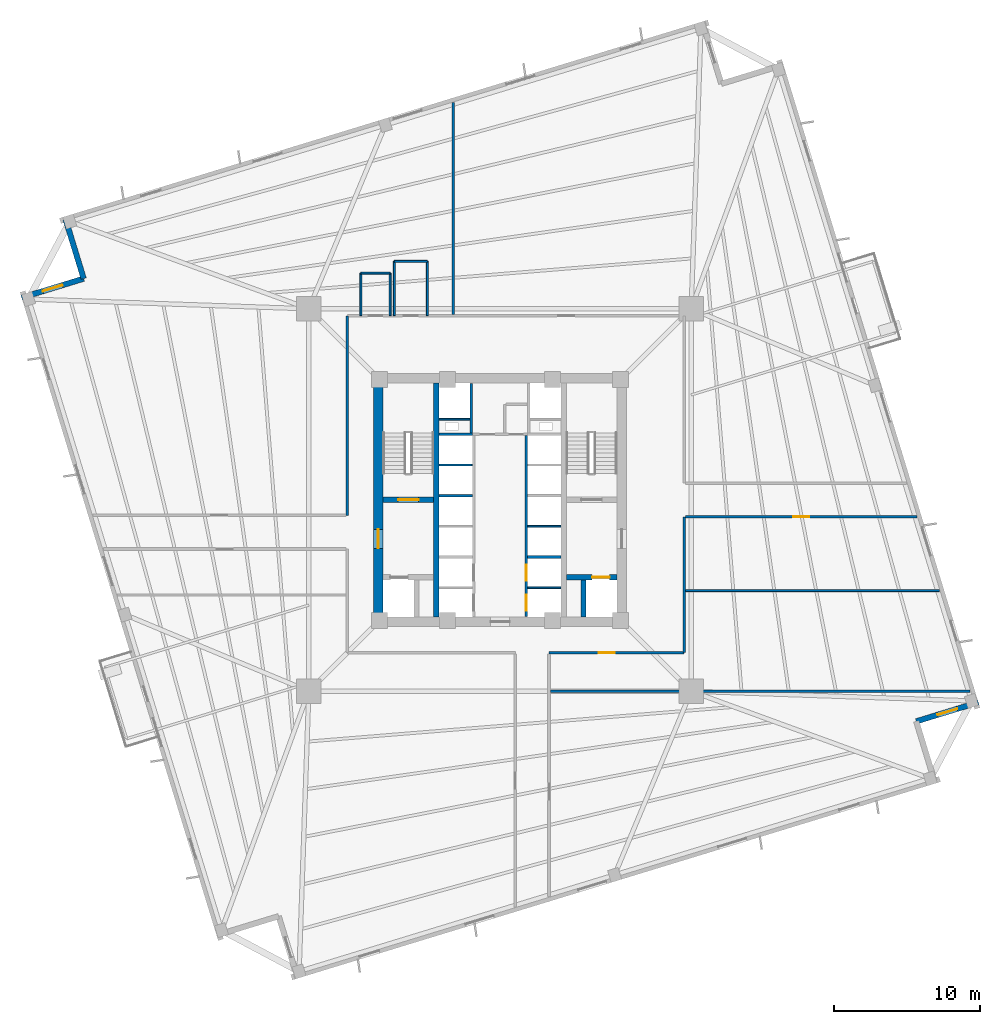
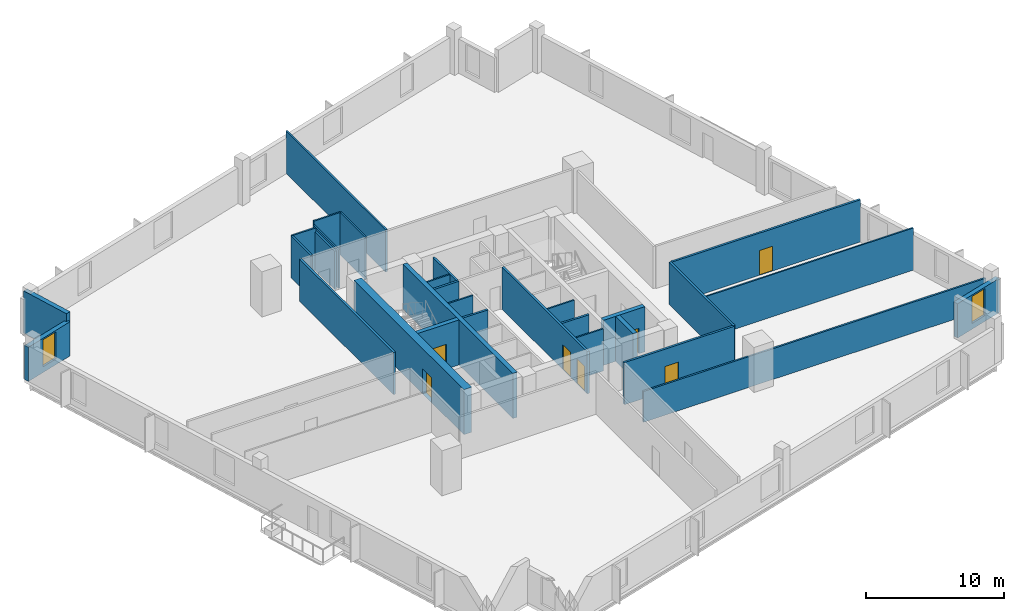
# One storey, part 4 of 9: 30 walls, 7 doors, 2 windows, 9 openings.
"""IFC4 building model written with IfcOpenShell, lengths in metres."""

from ifc_helpers import new_model, si_unit, direction, frame, frame_2d, origin, place, context, subcontext, project, spatial, rectangle, extrude, source, transform, mapped, material, layer, layer_set, type_object, element, fill, save


model = new_model("IFC4")

# Units and contexts
model_context = context("Model", 3, precision=1e-05, world=origin(), true_north=direction((0.0, 1.0)))
body_context = subcontext(model_context, "Body", "Model", "MODEL_VIEW")
ifc_project = project(units=[si_unit("LENGTHUNIT", "METRE"), si_unit("AREAUNIT", "SQUARE_METRE"), si_unit("VOLUMEUNIT", "CUBIC_METRE"), si_unit("PLANEANGLEUNIT", "RADIAN"), si_unit("MASSUNIT", "GRAM", prefix="KILO"), si_unit("THERMODYNAMICTEMPERATUREUNIT", "KELVIN")], contexts=[model_context])

# Site, building, storey
site_placement = place(None, origin())
site = spatial("IfcSite", under=ifc_project, at=site_placement, CompositionType="ELEMENT")
building_placement = place(site_placement, origin())
building = spatial("IfcBuilding", under=site, at=building_placement, Name="Kosmvard Interchange Tower", CompositionType="ELEMENT")
storey_placement = place(building_placement, frame((0.0, 0.0, 95.199951171875)))
storey = spatial("IfcBuildingStorey", under=building, at=storey_placement, Name="L22", CompositionType="ELEMENT", Elevation=95.199951171875)

# Walls
ifc_material_1 = material(Name="Acoustic gypsum partition system")
ifc_layer_1 = layer(ifc_material_1, 0.14990234375, Name="Acoustic gypsum partition system")
ifc_layer_set_1 = layer_set([ifc_layer_1], Name="Acoustic gypsum partition system")
wall_type_1 = type_object("IfcWallType", Name="Acoustic Suite & Meeting Partition 150", PredefinedType="PARTITIONING", material=ifc_layer_set_1)
wall_1_placement = place(storey_placement, frame((-3.199951171875, 12.695068359375, 0.0), z_axis=(0.0, 0.0, 1.0), x_axis=(0.0, 1.0, 0.0)))
element("IfcWall", 1, at=wall_1_placement, inside=storey, type_object=wall_type_1, Name="L22 Room Partition 01.1", PredefinedType="PARTITIONING", context=body_context, shape_type="SweptSolid", body=[
    extrude(rectangle(XDim=14.4921875, YDim=0.14990234375, at=frame_2d((7.24609375, 0.0))), origin(), (0.0, 0.0, 1.0), 3.739990234375),
])
wall_2_placement = place(storey_placement, frame((3.445068359375, -13.0810546875, 0.0), z_axis=(0.0, 0.0, 1.0), x_axis=(1.0, 0.0, 0.0)))
element("IfcWall", 2, at=wall_2_placement, inside=storey, type_object=wall_type_1, Name="L22 Room Partition 02.1", PredefinedType="PARTITIONING", context=body_context, shape_type="SweptSolid", body=[
    extrude(rectangle(XDim=28.719970703125, YDim=0.14990234375, at=frame_2d((14.35986328125, 0.0))), origin(), (0.0, 0.0, 1.0), 2.73193359375),
])
ifc_material_2 = material(Name="Fire-rated gypsum partition system")
ifc_layer_2 = layer(ifc_material_2, 0.159912109375, Name="Fire-rated gypsum partition system")
ifc_layer_set_2 = layer_set([ifc_layer_2], Name="Fire-rated gypsum partition system")
wall_type_2 = type_object("IfcWallType", Name="Core Compartment & Shuttle Lobby Partition 160", PredefinedType="PARTITIONING", material=ifc_layer_set_2)
wall_3_placement = place(storey_placement, frame((-1.9599609375, 4.580078125, 0.0), z_axis=(0.0, 0.0, 1.0), x_axis=(0.0, 1.0, 0.0)))
element("IfcWall", 3, at=wall_3_placement, inside=storey, type_object=wall_type_2, Name="L22 North Core West Wall", PredefinedType="PARTITIONING", context=body_context, shape_type="SweptSolid", body=[
    extrude(rectangle(XDim=3.39990234375, YDim=0.159912109375, at=frame_2d((1.699951171875, 0.0))), origin(), (0.0, 0.0, 1.0), 3.739990234375),
])

# Wall, openings, doors
ifc_layer_3 = layer(ifc_material_2, 0.179931640625, Name="Fire-rated gypsum partition system")
ifc_layer_set_3 = layer_set([ifc_layer_3], Name="Fire-rated gypsum partition system")
wall_type_3 = type_object("IfcWallType", Name="Corridor & Hotel Compartment Partition 180", PredefinedType="PARTITIONING", material=ifc_layer_set_3)
wall_4_placement = place(storey_placement, frame((1.7900390625, -7.97998046875, 0.0), z_axis=(0.0, 0.0, 1.0), x_axis=(0.0, 1.0, 0.0)))
wall_4 = element("IfcWall", 4, at=wall_4_placement, inside=storey, type_object=wall_type_3, Name="L22 East Lift Bank Front Wall", PredefinedType="PARTITIONING", context=body_context, shape_type="SweptSolid", body=[
    extrude(rectangle(XDim=12.3798828125, YDim=0.179931640625, at=frame_2d((6.18994140625, 0.0))), origin(), (0.0, 0.0, 1.0), 3.739990234375),
])
opening_1_placement = place(wall_4_placement, frame((0.39990234375, 0.0, 0.0)))
opening_1 = element("IfcOpeningElement", 5, at=opening_1_placement, cuts=wall_4, Name="Opening LD-PL-L3-L22", PredefinedType="OPENING", context=body_context, shape_type="SweptSolid", body=[
    extrude(rectangle(XDim=1.10009765625, YDim=2.199951171875, at=frame_2d((0.550048828125, 1.10009765625))), frame((0.0, 0.10009765625, 0.0), z_axis=(0.0, -1.0, 0.0), x_axis=(1.0, 0.0, 0.0)), (0.0, 0.0, 1.0), 0.199951171875),
])
opening_2_placement = place(wall_4_placement, frame((2.4599609375, 0.0, 0.0)))
opening_2 = element("IfcOpeningElement", 6, at=opening_2_placement, cuts=wall_4, Name="Opening LD-PL-L4-L22", PredefinedType="OPENING", context=body_context, shape_type="SweptSolid", body=[
    extrude(rectangle(XDim=1.10009765625, YDim=2.199951171875, at=frame_2d((0.550048828125, 1.10009765625))), frame((0.0, 0.10009765625, 0.0), z_axis=(0.0, -1.0, 0.0), x_axis=(1.0, 0.0, 0.0)), (0.0, 0.0, 1.0), 0.199951171875),
])
ifc_material_3 = material(Name="Brushed stainless steel sliding leaf", Category="steel")
door_type_1 = type_object("IfcDoorType", Name="Passenger Lift Sliding Landing Door 1100x2200 EI60", OperationType="DOUBLE_DOOR_SLIDING", PredefinedType="DOOR", material=ifc_material_3)
shared_shape_1 = source(origin(), body_context, "Body", "SweptSolid", [
    extrude(rectangle(XDim=1.10009765625, YDim=2.199951171875, at=frame_2d((0.550048828125, 1.10009765625))), frame((0.0, 0.02490234375, 0.0), z_axis=(0.0, -1.0, 0.0), x_axis=(1.0, 0.0, 0.0)), (0.0, 0.0, 1.0), 0.050048828125),
])
door_1_placement = place(opening_1_placement, origin())
door_1 = element("IfcDoor", 7, at=door_1_placement, inside=storey, type_object=door_type_1, Name="Lift PL-L3 Landing Door L22", OperationType="DOUBLE_DOOR_SLIDING", OverallHeight=2.199951171875, OverallWidth=1.10009765625, PredefinedType="DOOR", context=body_context, shape_type="MappedRepresentation", body=[
    mapped(shared_shape_1, transform((0.0, 0.0, 0.0), scale=1.0)),
])
fill(opening_1, door_1)
door_2_placement = place(opening_2_placement, origin())
door_2 = element("IfcDoor", 8, at=door_2_placement, inside=storey, type_object=door_type_1, Name="Lift PL-L4 Landing Door L22", OperationType="DOUBLE_DOOR_SLIDING", OverallHeight=2.199951171875, OverallWidth=1.10009765625, PredefinedType="DOOR", context=body_context, shape_type="MappedRepresentation", body=[
    mapped(shared_shape_1, transform((0.0, 0.0, 0.0), scale=1.0)),
])
fill(opening_2, door_2)

# Wall, opening, door
wall_5_placement = place(storey_placement, frame((3.35009765625, -10.449951171875, 0.0), z_axis=(0.0, 0.0, 1.0), x_axis=(1.0, 0.0, 0.0)))
wall_5 = element("IfcWall", 9, at=wall_5_placement, inside=storey, type_object=wall_type_3, Name="L22 Corridor Wall CSE", PredefinedType="PARTITIONING", context=body_context, shape_type="SweptSolid", body=[
    extrude(rectangle(XDim=9.25, YDim=0.179931640625, at=frame_2d((4.625, 0.0))), origin(), (0.0, 0.0, 1.0), 3.739990234375),
])
opening_3_placement = place(wall_5_placement, frame((3.4150390625, 0.0, 0.0)))
opening_3 = element("IfcOpeningElement", 10, at=opening_3_placement, cuts=wall_5, Name="Opening L22-D06", PredefinedType="OPENING", context=body_context, shape_type="SweptSolid", body=[
    extrude(rectangle(XDim=1.10009765625, YDim=2.199951171875, at=frame_2d((0.550048828125, 1.10009765625))), frame((0.0, 0.10009765625, 0.0), z_axis=(0.0, -1.0, 0.0), x_axis=(1.0, 0.0, 0.0)), (0.0, 0.0, 1.0), 0.199951171875),
])
ifc_material_4 = material(Name="Engineered oak fire-rated timber", Category="wood")
door_type_2 = type_object("IfcDoorType", Name="Office Suite Entrance Door 1100x2200 FD30S", OperationType="NOTDEFINED", PredefinedType="DOOR", material=ifc_material_4)
door_3_placement = place(opening_3_placement, frame((1.10009765625, 0.0, 0.0), z_axis=(0.0, 0.0, 1.0), x_axis=(-1.0, 0.0, 0.0)))
door_3 = element("IfcDoor", 11, at=door_3_placement, inside=storey, type_object=door_type_2, Name="L22 Client Briefing Room 2 Door", OperationType="SINGLE_SWING_RIGHT", OverallHeight=2.199951171875, OverallWidth=1.10009765625, PredefinedType="DOOR", context=body_context, shape_type="MappedRepresentation", body=[
    mapped(shared_shape_1, transform((0.0, 0.0, 0.0), scale=1.0)),
])
fill(opening_3, door_3)

# Walls
wall_6_placement = place(storey_placement, frame((-10.449951171875, -1.050048828125, 0.0), z_axis=(0.0, 0.0, 1.0), x_axis=(0.0, 1.0, 0.0)))
element("IfcWall", 12, at=wall_6_placement, inside=storey, type_object=wall_type_3, Name="L22 Corridor Wall CWN", PredefinedType="PARTITIONING", context=body_context, shape_type="SweptSolid", body=[
    extrude(rectangle(XDim=13.650146484375, YDim=0.179931640625, at=frame_2d((6.8251953125, 0.0))), origin(), (0.0, 0.0, 1.0), 3.739990234375),
])
wall_7_placement = place(storey_placement, frame((12.60009765625, -10.449951171875, 0.0), z_axis=(0.0, 0.0, 1.0), x_axis=(0.0, 1.0, 0.0)))
element("IfcWall", 13, at=wall_7_placement, inside=storey, type_object=wall_type_3, Name="L22 Corridor Wall CES", PredefinedType="PARTITIONING", context=body_context, shape_type="SweptSolid", body=[
    extrude(rectangle(XDim=9.300048828125, YDim=0.179931640625, at=frame_2d((4.64990234375, 0.0))), origin(), (0.0, 0.0, 1.0), 3.739990234375),
])

# Wall, opening, door
wall_8_placement = place(storey_placement, frame((12.699951171875, -1.14990234375, 0.0), z_axis=(0.0, 0.0, 1.0), x_axis=(1.0, 0.0, 0.0)))
wall_8 = element("IfcWall", 14, at=wall_8_placement, inside=storey, type_object=wall_type_3, Name="L22 Corridor Wall SES", PredefinedType="PARTITIONING", context=body_context, shape_type="SweptSolid", body=[
    extrude(rectangle(XDim=15.8173828125, YDim=0.179931640625, at=frame_2d((7.90869140625, 0.0))), origin(), (0.0, 0.0, 1.0), 3.739990234375),
])
opening_4_placement = place(wall_8_placement, frame((7.358642578125, 0.0, 0.0)))
opening_4 = element("IfcOpeningElement", 15, at=opening_4_placement, cuts=wall_8, Name="Opening L22-D05", PredefinedType="OPENING", context=body_context, shape_type="SweptSolid", body=[
    extrude(rectangle(XDim=1.10009765625, YDim=2.199951171875, at=frame_2d((0.550048828125, 1.10009765625))), frame((0.0, 0.10009765625, 0.0), z_axis=(0.0, -1.0, 0.0), x_axis=(1.0, 0.0, 0.0)), (0.0, 0.0, 1.0), 0.199951171875),
])
door_4_placement = place(opening_4_placement, frame((1.10009765625, 0.0, 0.0), z_axis=(0.0, 0.0, 1.0), x_axis=(-1.0, 0.0, 0.0)))
door_4 = element("IfcDoor", 16, at=door_4_placement, inside=storey, type_object=door_type_2, Name="L22 Executive Tea Pantry Door", OperationType="SINGLE_SWING_LEFT", OverallHeight=2.199951171875, OverallWidth=1.10009765625, PredefinedType="DOOR", context=body_context, shape_type="MappedRepresentation", body=[
    mapped(shared_shape_1, transform((0.0, 0.0, 0.0), scale=1.0)),
])
fill(opening_4, door_4)

# Wall, opening, window
ifc_material_5 = material(Name="Precast concrete C45/55", Category="concrete")
ifc_layer_4 = layer(ifc_material_5, 0.3798828125, Name="Precast concrete C45/55")
ifc_layer_set_4 = layer_set([ifc_layer_4], Name="Precast concrete C45/55")
wall_type_4 = type_object("IfcWallType", Name="Lower Tower Precast Pier Wall 380 C45/55", PredefinedType="STANDARD", material=ifc_layer_set_4)
wall_9_placement = place(storey_placement, frame((28.482421875, -15.144287109375, 0.0), z_axis=(0.0, 0.0, 1.0), x_axis=(0.956304176051, 0.292373601522, 0.0)))
wall_9 = element("IfcWall", 17, at=wall_9_placement, inside=storey, type_object=wall_type_4, Name="L22 Precast Facade Wall N-SE2", PredefinedType="STANDARD", context=body_context, shape_type="SweptSolid", body=[
    extrude(rectangle(XDim=4.43994140625, YDim=0.3798828125, at=frame_2d((2.219970703125, 0.0))), origin(), (0.0, 0.0, 1.0), 3.0400390625),
])
opening_5_placement = place(wall_9_placement, frame((1.52001953125, 0.0, 0.510009765625)))
opening_5 = element("IfcOpeningElement", 18, at=opening_5_placement, cuts=wall_9, Name="Opening L22-W21", PredefinedType="OPENING", context=body_context, shape_type="SweptSolid", body=[
    extrude(rectangle(XDim=1.39990234375, YDim=2.39990234375, at=frame_2d((0.699951171875, 1.199951171875))), frame((0.0, 0.199951171875, 0.0), z_axis=(0.0, -1.0, 0.0), x_axis=(1.0, 0.0, 0.0)), (0.0, 0.0, 1.0), 0.39990234375),
])
ifc_material_6 = material(Name="Low-E solar-control double glazing", Category="glass")
window_type = type_object("IfcWindowType", Name="Notched Corner Feature Window 1400x2400", PartitioningType="SINGLE_PANEL", PredefinedType="WINDOW", material=ifc_material_6)
shared_shape_2 = source(origin(), body_context, "Body", "SweptSolid", [
    extrude(rectangle(XDim=1.39990234375, YDim=2.39990234375, at=frame_2d((0.699951171875, 1.199951171875))), frame((0.0, 0.030029296875, 0.0), z_axis=(0.0, -1.0, 0.0), x_axis=(1.0, 0.0, 0.0)), (0.0, 0.0, 1.0), 0.06005859375),
])
window_1_placement = place(opening_5_placement, origin())
window_1 = element("IfcWindow", 19, at=window_1_placement, inside=storey, type_object=window_type, Name="L22 Corner Notch Window 21", OverallHeight=2.39990234375, OverallWidth=1.39990234375, PartitioningType="SINGLE_PANEL", PredefinedType="WINDOW", context=body_context, shape_type="MappedRepresentation", body=[
    mapped(shared_shape_2, transform((0.0, 0.0, 0.0), scale=1.0)),
])
fill(opening_5, window_1)

# Wall
wall_10_placement = place(storey_placement, frame((-29.724853515625, 19.20849609375, 0.0), z_axis=(0.0, 0.0, 1.0), x_axis=(0.292345507338, -0.956312764915, 0.0)))
element("IfcWall", 20, at=wall_10_placement, inside=storey, type_object=wall_type_4, Name="L22 Precast Facade Wall N-NW1", PredefinedType="STANDARD", context=body_context, shape_type="SweptSolid", body=[
    extrude(rectangle(XDim=4.249755859375, YDim=0.3798828125, at=frame_2d((2.125, 0.0))), origin(), (0.0, 0.0, 1.0), 3.739990234375),
])

# Wall, opening, window
wall_11_placement = place(storey_placement, frame((-28.482421875, 15.144287109375, 0.0), z_axis=(0.0, 0.0, 1.0), x_axis=(-0.956304176051, -0.292373601522, 0.0)))
wall_11 = element("IfcWall", 21, at=wall_11_placement, inside=storey, type_object=wall_type_4, Name="L22 Precast Facade Wall N-NW2", PredefinedType="STANDARD", context=body_context, shape_type="SweptSolid", body=[
    extrude(rectangle(XDim=4.43994140625, YDim=0.3798828125, at=frame_2d((2.219970703125, 0.0))), origin(), (0.0, 0.0, 1.0), 3.0400390625),
])
opening_6_placement = place(wall_11_placement, frame((1.52001953125, 0.0, 0.510009765625)))
opening_6 = element("IfcOpeningElement", 22, at=opening_6_placement, cuts=wall_11, Name="Opening L22-W23", PredefinedType="OPENING", context=body_context, shape_type="SweptSolid", body=[
    extrude(rectangle(XDim=1.39990234375, YDim=2.39990234375, at=frame_2d((0.699951171875, 1.199951171875))), frame((0.0, 0.199951171875, 0.0), z_axis=(0.0, -1.0, 0.0), x_axis=(1.0, 0.0, 0.0)), (0.0, 0.0, 1.0), 0.39990234375),
])
window_2_placement = place(opening_6_placement, origin())
window_2 = element("IfcWindow", 23, at=window_2_placement, inside=storey, type_object=window_type, Name="L22 Corner Notch Window 23", OverallHeight=2.39990234375, OverallWidth=1.39990234375, PartitioningType="SINGLE_PANEL", PredefinedType="WINDOW", context=body_context, shape_type="MappedRepresentation", body=[
    mapped(shared_shape_2, transform((0.0, 0.0, 0.0), scale=1.0)),
])
fill(opening_6, window_2)

# Wall, opening, door
ifc_material_7 = material(Name="Concrete C70/85", Category="concrete")
ifc_layer_5 = layer(ifc_material_7, 0.64990234375, Name="Concrete C70/85")
ifc_layer_set_5 = layer_set([ifc_layer_5], Name="Concrete C70/85")
wall_type_5 = type_object("IfcWallType", Name="Mid Core Shear Wall 650 C70/85", PredefinedType="SHEAR", material=ifc_layer_set_5)
wall_12_placement = place(storey_placement, frame((-8.324951171875, -8.0, 0.0), z_axis=(0.0, 0.0, 1.0), x_axis=(0.0, 1.0, 0.0)))
wall_12 = element("IfcWall", 24, at=wall_12_placement, inside=storey, type_object=wall_type_5, Name="L22 Core Shear Wall CW-W", PredefinedType="SHEAR", context=body_context, shape_type="SweptSolid", body=[
    extrude(rectangle(XDim=16.0, YDim=0.64990234375, at=frame_2d((8.0, 0.0))), origin(), (0.0, 0.0, 1.0), 4.0),
])
opening_7_placement = place(wall_12_placement, frame((4.68994140625, 0.0, 0.0)))
opening_7 = element("IfcOpeningElement", 25, at=opening_7_placement, cuts=wall_12, Name="Opening L22-FD1", PredefinedType="OPENING", context=body_context, shape_type="SweptSolid", body=[
    extrude(rectangle(XDim=1.300048828125, YDim=2.199951171875, at=frame_2d((0.64990234375, 1.10009765625))), frame((0.0, 0.3349609375, 0.0), z_axis=(0.0, -1.0, 0.0), x_axis=(1.0, 0.0, 0.0)), (0.0, 0.0, 1.0), 0.669921875),
])
ifc_material_8 = material(Name="Painted fire-rated steel leaf", Category="steel")
door_type_3 = type_object("IfcDoorType", Name="Firefighting Lobby Door 1300x2200 EI60", OperationType="NOTDEFINED", PredefinedType="DOOR", material=ifc_material_8)
shared_shape_3 = source(origin(), body_context, "Body", "SweptSolid", [
    extrude(rectangle(XDim=1.300048828125, YDim=2.199951171875, at=frame_2d((0.64990234375, 1.10009765625))), frame((0.0, 0.02490234375, 0.0), z_axis=(0.0, -1.0, 0.0), x_axis=(1.0, 0.0, 0.0)), (0.0, 0.0, 1.0), 0.050048828125),
])
door_5_placement = place(opening_7_placement, frame((1.300048828125, 0.0, 0.0), z_axis=(0.0, 0.0, 1.0), x_axis=(-1.0, 0.0, 0.0)))
door_5 = element("IfcDoor", 26, at=door_5_placement, inside=storey, type_object=door_type_3, Name="L22 Firefighting Lobby West Door", OperationType="SINGLE_SWING_LEFT", OverallHeight=2.199951171875, OverallWidth=1.300048828125, PredefinedType="DOOR", context=body_context, shape_type="MappedRepresentation", body=[
    mapped(shared_shape_3, transform((0.0, 0.0, 0.0), scale=1.0)),
])
fill(opening_7, door_5)

# Walls
ifc_material_9 = material(Name="Gypsum board partition system")
ifc_layer_6 = layer(ifc_material_9, 0.1201171875, Name="Gypsum board partition system")
ifc_layer_set_6 = layer_set([ifc_layer_6], Name="Gypsum board partition system")
wall_type_6 = type_object("IfcWallType", Name="Office Cellular Partition 120", PredefinedType="PARTITIONING", material=ifc_layer_set_6)
wall_13_placement = place(storey_placement, frame((12.695068359375, -6.199951171875, 0.0), z_axis=(0.0, 0.0, 1.0), x_axis=(1.0, 0.0, 0.0)))
element("IfcWall", 27, at=wall_13_placement, inside=storey, type_object=wall_type_6, Name="L22 Room Partition 03.1", PredefinedType="PARTITIONING", context=body_context, shape_type="SweptSolid", body=[
    extrude(rectangle(XDim=17.3662109375, YDim=0.1201171875, at=frame_2d((8.68310546875, 0.0))), origin(), (0.0, 0.0, 1.0), 3.739990234375),
])
ifc_material_10 = material(Name="Concrete blockwork masonry", Category="masonry")
ifc_layer_7 = layer(ifc_material_10, 0.179931640625, Name="Concrete blockwork masonry")
ifc_layer_set_7 = layer_set([ifc_layer_7], Name="Concrete blockwork masonry")
wall_type_7 = type_object("IfcWallType", Name="Riser & Lift Bank Divider Wall 180", PredefinedType="PARTITIONING", material=ifc_layer_set_7)
for number, where, z_axis, x_axis, name in (
    (28, (1.889892578125, -3.89990234375, 0.0), (0.0, 0.0, 1.0), (1.0, 0.0, 0.0), "L22 East Bank Divider BD1"),
    (29, (-4.169921875, 0.300048828125, 0.0), (0.0, 0.0, 1.0), (1.0, 0.0, 0.0), "L22 West Bank Divider BD2"),
    (30, (-4.169921875, 4.489990234375, 0.0), (0.0, 0.0, 1.0), (1.0, 0.0, 0.0), "L22 West Bank Divider BD3"),
):
    element("IfcWall", number, at=place(storey_placement, frame(where, z_axis=z_axis, x_axis=x_axis)), inside=storey, type_object=wall_type_7, Name=name, PredefinedType="PARTITIONING", context=body_context, shape_type="SweptSolid", body=[
        extrude(rectangle(XDim=2.280029296875, YDim=0.179931640625, at=frame_2d((1.14013671875, 0.0))), origin(), (0.0, 0.0, 1.0), 3.739990234375),
    ])
ifc_material_11 = material(Name="Fire-rated gypsum shaftwall system")
ifc_layer_8 = layer(ifc_material_11, 0.1201171875, Name="Fire-rated gypsum shaftwall system")
ifc_layer_set_8 = layer_set([ifc_layer_8], Name="Fire-rated gypsum shaftwall system")
wall_type_8 = type_object("IfcWallType", Name="Shaft & Riser Fire Partition 120 EI60", PredefinedType="PARTITIONING", material=ifc_layer_set_8)
for number, where, z_axis, x_axis, name in (
    (31, (1.89990234375, -6.0, 0.0), (0.0, 0.0, 1.0), (1.0, 0.0, 0.0), "L22 Shaft Divider PL-L3"),
    (32, (1.89990234375, -1.800048828125, 0.0), (0.0, 0.0, 1.0), (1.0, 0.0, 0.0), "L22 Shaft Divider PL-M3"),
    (33, (-4.159912109375, 2.39990234375, 0.0), (0.0, 0.0, 1.0), (1.0, 0.0, 0.0), "L22 Shaft Divider PL-H1"),
):
    element("IfcWall", number, at=place(storey_placement, frame(where, z_axis=z_axis, x_axis=x_axis)), inside=storey, type_object=wall_type_8, Name=name, PredefinedType="PARTITIONING", context=body_context, shape_type="SweptSolid", body=[
        extrude(rectangle(XDim=2.260009765625, YDim=0.1201171875, at=frame_2d((1.1298828125, 0.0))), origin(), (0.0, 0.0, 1.0), 3.739990234375),
    ])
wall_14_placement = place(storey_placement, frame((-4.159912109375, 5.52001953125, 0.0), z_axis=(0.0, 0.0, 1.0), x_axis=(1.0, 0.0, 0.0)))
element("IfcWall", 34, at=wall_14_placement, inside=storey, type_object=wall_type_8, Name="L22 Riser Shaft Divider W", PredefinedType="PARTITIONING", context=body_context, shape_type="SweptSolid", body=[
    extrude(rectangle(XDim=2.099853515625, YDim=0.1201171875, at=frame_2d((1.0498046875, 0.0))), origin(), (0.0, 0.0, 1.0), 3.739990234375),
])
ifc_material_12 = material(Name="Concrete C60/75", Category="concrete")
ifc_layer_9 = layer(ifc_material_12, 0.360107421875, Name="Concrete C60/75")
ifc_layer_set_9 = layer_set([ifc_layer_9], Name="Concrete C60/75")
wall_type_9 = type_object("IfcWallType", Name="Stair & Lift Shaft Shear Wall 360 C60/75", PredefinedType="SHEAR", material=ifc_layer_set_9)
wall_15_placement = place(storey_placement, frame((-4.360107421875, -8.0, 0.0), z_axis=(0.0, 0.0, 1.0), x_axis=(0.0, 1.0, 0.0)))
element("IfcWall", 35, at=wall_15_placement, inside=storey, type_object=wall_type_9, Name="L22 Shaft Shear Wall SW-W", PredefinedType="SHEAR", context=body_context, shape_type="SweptSolid", body=[
    extrude(rectangle(XDim=16.0, YDim=0.360107421875, at=frame_2d((8.0, 0.0))), origin(), (0.0, 0.0, 1.0), 4.0),
])

# Wall, opening, door
wall_16_placement = place(storey_placement, frame((-8.0, 0.02001953125, 0.0), z_axis=(0.0, 0.0, 1.0), x_axis=(1.0, 0.0, 0.0)))
wall_16 = element("IfcWall", 36, at=wall_16_placement, inside=storey, type_object=wall_type_9, Name="L22 Shaft Shear Wall SW-ST1", PredefinedType="SHEAR", context=body_context, shape_type="SweptSolid", body=[
    extrude(rectangle(XDim=3.4599609375, YDim=0.360107421875, at=frame_2d((1.72998046875, 0.0))), origin(), (0.0, 0.0, 1.0), 4.0),
])
opening_8_placement = place(wall_16_placement, frame((1.030029296875, 0.0, 0.0)))
opening_8 = element("IfcOpeningElement", 37, at=opening_8_placement, cuts=wall_16, Name="Opening L22-SD1", PredefinedType="OPENING", context=body_context, shape_type="SweptSolid", body=[
    extrude(rectangle(XDim=1.39990234375, YDim=2.199951171875, at=frame_2d((0.699951171875, 1.10009765625))), frame((0.0, 0.18994140625, 0.0), z_axis=(0.0, -1.0, 0.0), x_axis=(1.0, 0.0, 0.0)), (0.0, 0.0, 1.0), 0.380126953125),
])
door_type_4 = type_object("IfcDoorType", Name="Protected Stair Door 1400x2200 FD60S", OperationType="NOTDEFINED", PredefinedType="DOOR", material=ifc_material_8)
shared_shape_4 = source(origin(), body_context, "Body", "SweptSolid", [
    extrude(rectangle(XDim=1.39990234375, YDim=2.199951171875, at=frame_2d((0.699951171875, 1.10009765625))), frame((0.0, 0.02490234375, 0.0), z_axis=(0.0, -1.0, 0.0), x_axis=(1.0, 0.0, 0.0)), (0.0, 0.0, 1.0), 0.050048828125),
])
door_6_placement = place(opening_8_placement, origin())
door_6 = element("IfcDoor", 38, at=door_6_placement, inside=storey, type_object=door_type_4, Name="L22 Stair ST-1 Enclosure Door", OperationType="SINGLE_SWING_LEFT", OverallHeight=2.199951171875, OverallWidth=1.39990234375, PredefinedType="DOOR", context=body_context, shape_type="MappedRepresentation", body=[
    mapped(shared_shape_4, transform((0.0, 0.0, 0.0), scale=1.0)),
])
fill(opening_8, door_6)

wall_17_placement = place(storey_placement, frame((4.5400390625, -5.280029296875, 0.0), z_axis=(0.0, 0.0, 1.0), x_axis=(1.0, 0.0, 0.0)))
wall_17 = element("IfcWall", 39, at=wall_17_placement, inside=storey, type_object=wall_type_9, Name="L22 Shaft Shear Wall SW-FF2", PredefinedType="SHEAR", context=body_context, shape_type="SweptSolid", body=[
    extrude(rectangle(XDim=3.4599609375, YDim=0.360107421875, at=frame_2d((1.72998046875, 0.0))), origin(), (0.0, 0.0, 1.0), 4.0),
])
opening_9_placement = place(wall_17_placement, frame((1.760009765625, 0.0, 0.0)))
opening_9 = element("IfcOpeningElement", 40, at=opening_9_placement, cuts=wall_17, Name="Opening LD-FF-2-L22", PredefinedType="OPENING", context=body_context, shape_type="SweptSolid", body=[
    extrude(rectangle(XDim=1.199951171875, YDim=2.25, at=frame_2d((0.60009765625, 1.125))), frame((0.0, 0.18994140625, 0.0), z_axis=(0.0, -1.0, 0.0), x_axis=(1.0, 0.0, 0.0)), (0.0, 0.0, 1.0), 0.380126953125),
])
door_type_5 = type_object("IfcDoorType", Name="Firefighting Lift Sliding Landing Door 1200x2250 EI120", OperationType="DOUBLE_DOOR_SLIDING", PredefinedType="DOOR", material=ifc_material_3)
shared_shape_5 = source(origin(), body_context, "Body", "SweptSolid", [
    extrude(rectangle(XDim=1.199951171875, YDim=2.25, at=frame_2d((0.60009765625, 1.125))), frame((0.0, 0.02490234375, 0.0), z_axis=(0.0, -1.0, 0.0), x_axis=(1.0, 0.0, 0.0)), (0.0, 0.0, 1.0), 0.050048828125),
])
door_7_placement = place(opening_9_placement, origin())
door_7 = element("IfcDoor", 41, at=door_7_placement, inside=storey, type_object=door_type_5, Name="Lift FF-2 Landing Door L22", OperationType="DOUBLE_DOOR_SLIDING", OverallHeight=2.25, OverallWidth=1.199951171875, PredefinedType="DOOR", context=body_context, shape_type="MappedRepresentation", body=[
    mapped(shared_shape_5, transform((0.0, 0.0, 0.0), scale=1.0)),
])
fill(opening_9, door_7)

# Walls
wall_18_placement = place(storey_placement, frame((5.7099609375, -8.0, 0.0), z_axis=(0.0, 0.0, 1.0), x_axis=(0.0, 1.0, 0.0)))
element("IfcWall", 42, at=wall_18_placement, inside=storey, type_object=wall_type_9, Name="L22 Shaft Shear Wall SW-SM2", PredefinedType="SHEAR", context=body_context, shape_type="SweptSolid", body=[
    extrude(rectangle(XDim=2.5400390625, YDim=0.360107421875, at=frame_2d((1.27001953125, 0.0))), origin(), (0.0, 0.0, 1.0), 4.0),
])
ifc_material_13 = material(Name="Moisture-resistant gypsum partition")
ifc_layer_10 = layer(ifc_material_13, 0.135009765625, Name="Moisture-resistant gypsum partition")
ifc_layer_set_10 = layer_set([ifc_layer_10], Name="Moisture-resistant gypsum partition")
wall_type_10 = type_object("IfcWallType", Name="Wet Room Moisture-Resistant Partition 135", PredefinedType="PARTITIONING", material=ifc_layer_set_10)
wall_19_placement = place(storey_placement, frame((-7.52001953125, 12.6201171875, 0.0), z_axis=(0.0, 0.0, 1.0), x_axis=(0.0, 1.0, 0.0)))
element("IfcWall", 43, at=wall_19_placement, inside=storey, type_object=wall_type_10, Name="L22 Washroom Partition AWC1-E", PredefinedType="PARTITIONING", context=body_context, shape_type="SweptSolid", body=[
    extrude(rectangle(XDim=2.89990234375, YDim=0.135009765625, at=frame_2d((1.449951171875, 0.0))), origin(), (0.0, 0.0, 1.0), 3.41015625),
])
wall_20_placement = place(storey_placement, frame((-9.52001953125, 15.52001953125, 0.0), z_axis=(0.0, 0.0, 1.0), x_axis=(1.0, 0.0, 0.0)))
element("IfcWall", 44, at=wall_20_placement, inside=storey, type_object=wall_type_10, Name="L22 Washroom Partition AWC1-N", PredefinedType="PARTITIONING", context=body_context, shape_type="SweptSolid", body=[
    extrude(rectangle(XDim=2.0, YDim=0.135009765625, at=frame_2d((1.0, 0.0))), origin(), (0.0, 0.0, 1.0), 3.739990234375),
])
wall_21_placement = place(storey_placement, frame((-9.52001953125, 12.6201171875, 0.0), z_axis=(0.0, 0.0, 1.0), x_axis=(0.0, 1.0, 0.0)))
element("IfcWall", 45, at=wall_21_placement, inside=storey, type_object=wall_type_10, Name="L22 Washroom Partition AWC1-W", PredefinedType="PARTITIONING", context=body_context, shape_type="SweptSolid", body=[
    extrude(rectangle(XDim=2.89990234375, YDim=0.135009765625, at=frame_2d((1.449951171875, 0.0))), origin(), (0.0, 0.0, 1.0), 3.739990234375),
])
wall_22_placement = place(storey_placement, frame((-4.970947265625, 12.6201171875, 0.0), z_axis=(0.0, 0.0, 1.0), x_axis=(0.0, 1.0, 0.0)))
element("IfcWall", 46, at=wall_22_placement, inside=storey, type_object=wall_type_10, Name="L22 Washroom Partition WC1-E", PredefinedType="PARTITIONING", context=body_context, shape_type="SweptSolid", body=[
    extrude(rectangle(XDim=3.699951171875, YDim=0.135009765625, at=frame_2d((1.85009765625, 0.0))), origin(), (0.0, 0.0, 1.0), 3.739990234375),
])
wall_23_placement = place(storey_placement, frame((-7.220947265625, 16.320068359375, 0.0), z_axis=(0.0, 0.0, 1.0), x_axis=(1.0, 0.0, 0.0)))
element("IfcWall", 47, at=wall_23_placement, inside=storey, type_object=wall_type_10, Name="L22 Washroom Partition WC1-N", PredefinedType="PARTITIONING", context=body_context, shape_type="SweptSolid", body=[
    extrude(rectangle(XDim=2.25, YDim=0.135009765625, at=frame_2d((1.125, 0.0))), origin(), (0.0, 0.0, 1.0), 3.739990234375),
])
wall_24_placement = place(storey_placement, frame((-7.220947265625, 12.6201171875, 0.0), z_axis=(0.0, 0.0, 1.0), x_axis=(0.0, 1.0, 0.0)))
element("IfcWall", 48, at=wall_24_placement, inside=storey, type_object=wall_type_10, Name="L22 Washroom Partition WC1-W", PredefinedType="PARTITIONING", context=body_context, shape_type="SweptSolid", body=[
    extrude(rectangle(XDim=3.699951171875, YDim=0.135009765625, at=frame_2d((1.85009765625, 0.0))), origin(), (0.0, 0.0, 1.0), 3.41015625),
])

save(model, "model.ifc")
